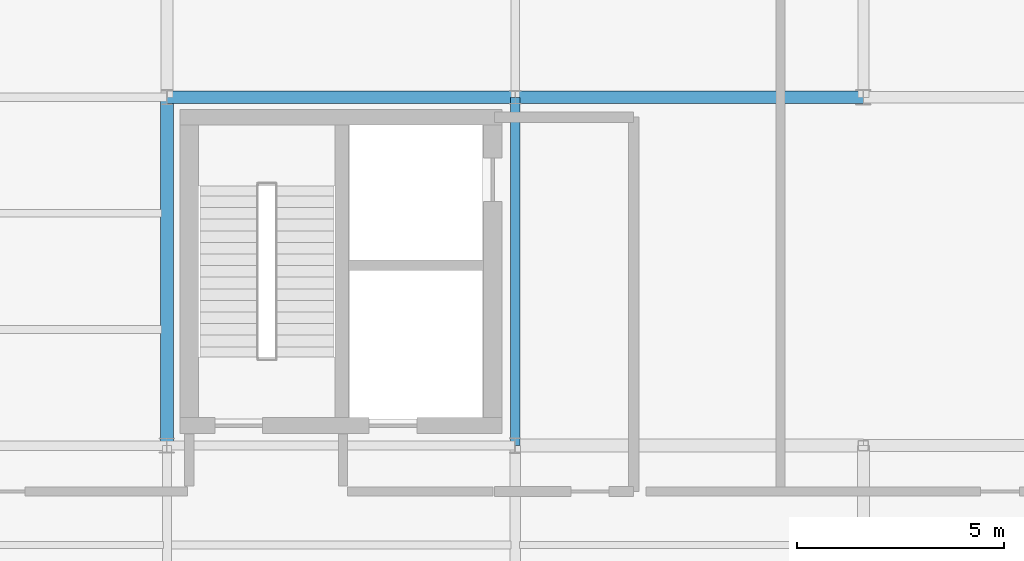
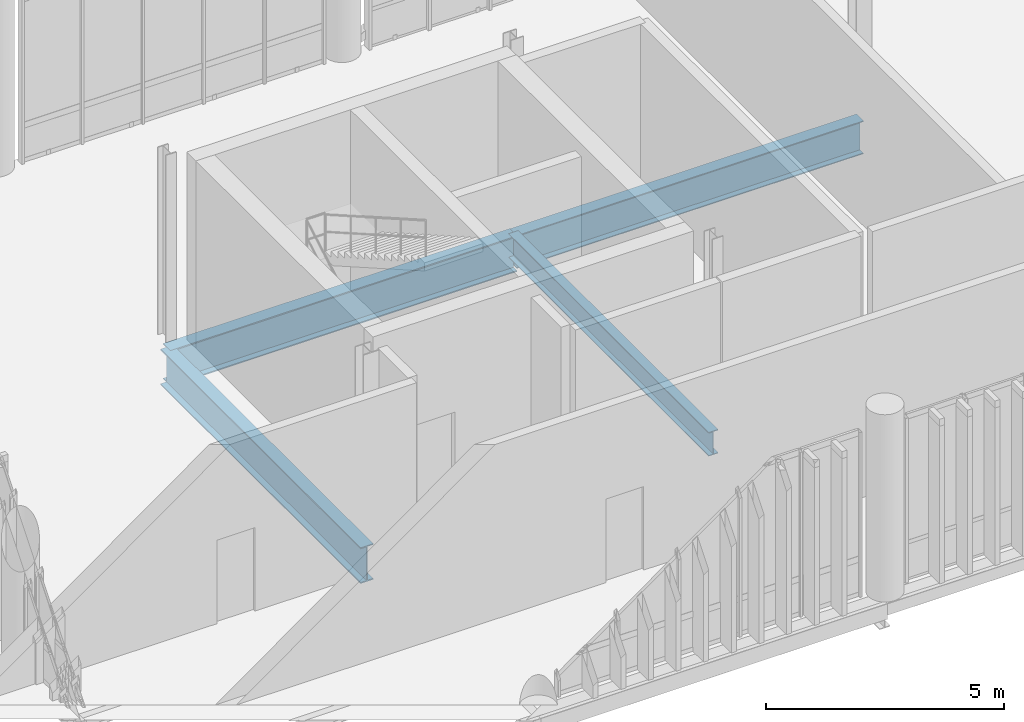
# One storey, part 32 of 94: 4 beams.
"""IFC4 building model written with IfcOpenShell, lengths in metres."""

import ifcopenshell
import ifcopenshell.guid

model = None  # the IFC model being written
_history = None  # IfcOwnerHistory: only IFC2X3 demands one
_inside = {}  # id of a spatial element -> (the spatial element, [elements in it])
_under = {}  # id of a project, library or spatial element -> (it, [spatial elements below it])
_declared = {}  # id of a project -> (the project, [libraries it declares])
_typed = {}  # id of a type object -> (the type object, [elements of that type])
_made_of = {}  # id of a material, layer set ... -> (it, [elements and type objects made of it])


def new_model(schema):
    """Start an empty IFC model of exactly this schema.

    Asked for "IFC4X3", IfcOpenShell would pick the latest addendum, in which some entities
    have other attributes; the version numbers below select the first issue.
    IFC2X3 requires an IfcOwnerHistory on every rooted entity: one is made here for all.
    """
    global model, _history
    if schema == "IFC4X3":
        model = ifcopenshell.file(schema_version=(4, 3, 0, 0))
    else:
        model = ifcopenshell.file(schema=schema)
    _inside.clear()
    _under.clear()
    _declared.clear()
    _typed.clear()
    _made_of.clear()
    _history = None
    if model.schema == "IFC2X3":
        org = make("IfcOrganization", Name="unknown")
        user = make(
            "IfcPersonAndOrganization",
            ThePerson=make("IfcPerson", FamilyName="unknown"),
            TheOrganization=org,
        )
        app = make(
            "IfcApplication",
            ApplicationDeveloper=org,
            Version="unknown",
            ApplicationFullName="unknown",
            ApplicationIdentifier="unknown",
        )
        _history = make(
            "IfcOwnerHistory",
            OwningUser=user,
            OwningApplication=app,
            ChangeAction="ADDED",
            CreationDate=0,
        )
    return model


def make(cls, **values):
    """One entity of the class cls with the attributes given. An attribute that is None is left unset."""
    return model.create_entity(
        cls, **{name: value for name, value in values.items() if value is not None}
    )


def rooted(cls, **values):
    """An entity with a GlobalId (a new one), such as an element, a storey or a relation."""
    return make(cls, GlobalId=ifcopenshell.guid.new(), OwnerHistory=_history, **values)


def si_unit(unit_type, name, prefix=None):
    """IfcSIUnit, for example si_unit("LENGTHUNIT", "METRE", prefix="MILLI")."""
    return make("IfcSIUnit", UnitType=unit_type, Prefix=prefix, Name=name)


def assignment(units):
    """IfcUnitAssignment: the units of a project."""
    return None if units is None else make("IfcUnitAssignment", Units=units)


def point(xyz):
    """IfcCartesianPoint."""
    return None if xyz is None else make("IfcCartesianPoint", Coordinates=xyz)


def direction(xyz):
    """IfcDirection."""
    return None if xyz is None else make("IfcDirection", DirectionRatios=xyz)


def frame(location, z_axis=None, x_axis=None):
    """IfcAxis2Placement3D, a coordinate frame: its origin and axes. An axis left out is left unset."""
    return make(
        "IfcAxis2Placement3D",
        Location=point(location),
        Axis=direction(z_axis),
        RefDirection=direction(x_axis),
    )


def frame_2d(location, x_axis=None):
    """IfcAxis2Placement2D, a coordinate frame in the plane: its origin and x axis."""
    return make(
        "IfcAxis2Placement2D", Location=point(location), RefDirection=direction(x_axis)
    )


def origin_with_axes():
    """The frame at (0, 0, 0) with the z axis (0, 0, 1) and the x axis (1, 0, 0) written out."""
    return frame((0.0, 0.0, 0.0), z_axis=(0.0, 0.0, 1.0), x_axis=(1.0, 0.0, 0.0))


def origin_2d_with_axis():
    """The frame at (0, 0) in the plane with the x axis (1, 0) written out."""
    return frame_2d((0.0, 0.0), x_axis=(1.0, 0.0))


def place(relative_to, where):
    """IfcLocalPlacement: puts the frame where relative to a parent placement (None: the world)."""
    return make(
        "IfcLocalPlacement", PlacementRelTo=relative_to, RelativePlacement=where
    )


def context(
    kind, dimensions, precision=None, world=None, true_north=None, identifier=None
):
    """IfcGeometricRepresentationContext, for example the 3D "Model" context."""
    return make(
        "IfcGeometricRepresentationContext",
        ContextIdentifier=identifier,
        ContextType=kind,
        CoordinateSpaceDimension=dimensions,
        Precision=precision,
        WorldCoordinateSystem=world,
        TrueNorth=true_north,
    )


def subcontext(parent, identifier, kind, view, scale=None):
    """IfcGeometricRepresentationSubContext, for example "Body" below "Model"."""
    return make(
        "IfcGeometricRepresentationSubContext",
        ContextIdentifier=identifier,
        ContextType=kind,
        ParentContext=parent,
        TargetScale=scale,
        TargetView=view,
    )


def project(units=None, contexts=None):
    """IfcProject with its units and contexts."""
    return rooted(
        "IfcProject",
        Name="project",
        RepresentationContexts=contexts,
        UnitsInContext=assignment(units),
    )


def spatial(cls, under=None, at=None, **own):
    """A site, building, storey or space (cls), placed at a placement, below another one or the project."""
    s = rooted(cls, ObjectPlacement=at, **own)
    if under is not None:
        _under.setdefault(under.id(), (under, []))[1].append(s)
    return s


def profile(cls, at=None, kind="AREA", **sizes):
    """A parametric profile (cls). Its sizes go by their IFC names, for example OverallWidth=200.0."""
    return make(cls, ProfileType=kind, Position=at, **sizes)


def i_section(**sizes):
    """IfcIShapeProfileDef."""
    return profile("IfcIShapeProfileDef", **sizes)


def extrude(swept, where, along, depth):
    """IfcExtrudedAreaSolid: the profile swept, set in the frame where, extruded along a direction by depth."""
    return make(
        "IfcExtrudedAreaSolid",
        SweptArea=swept,
        Position=where,
        ExtrudedDirection=direction(along),
        Depth=depth,
    )


def shape(context_of_items, identifier, shape_type, items):
    """IfcShapeRepresentation: the items that make up one representation, for example the "Body"."""
    return make(
        "IfcShapeRepresentation",
        ContextOfItems=context_of_items,
        RepresentationIdentifier=identifier,
        RepresentationType=shape_type,
        Items=items,
    )


def material(Name=None, Category=None):
    """IfcMaterial."""
    return make("IfcMaterial", Name=Name, Category=Category)


def material_profile(
    of_material, cross_section, Name=None, Category=None, Priority=None
):
    """IfcMaterialProfile: a cross section and its material."""
    return make(
        "IfcMaterialProfile",
        Name=Name,
        Material=of_material,
        Profile=cross_section,
        Priority=Priority,
        Category=Category,
    )


def profile_set(profiles, Name=None, composite=None):
    """IfcMaterialProfileSet."""
    return make(
        "IfcMaterialProfileSet",
        Name=Name,
        MaterialProfiles=profiles,
        CompositeProfile=composite,
    )


def made_of(thing, what):
    """Note that an element or type object is made of a material, layer set ...; save() writes the relation."""
    if what is not None:
        _made_of.setdefault(what.id(), (what, []))[1].append(thing)
    return thing


def type_object(cls, material=None, **own):
    """A type object (cls), such as IfcWallType, which elements share."""
    return made_of(rooted(cls, **own), material)


def element(
    cls,
    number,
    at=None,
    inside=None,
    cuts=None,
    type_object=None,
    material=None,
    context=None,
    identifier="Body",
    shape_type=None,
    held_by="IfcProductDefinitionShape",
    body=None,
    shapes=None,
    **own,
):
    """One element of the class cls, such as IfcWall. Its Tag is "e" and its number.

    at: its placement. inside: the storey or other place that contains it. cuts: it is an
    opening in that element (IfcRelVoidsElement). A single representation is given by context,
    identifier, shape_type and body (its items); several are given by shapes. held_by: the class
    of the entity that holds the representations. save() writes the other relations.
    """
    e = rooted(cls, Tag="e%d" % number, ObjectPlacement=at, **own)
    if body is not None:
        shapes = [shape(context, identifier, shape_type, body)]
    if shapes is not None:
        e.Representation = make(held_by, Representations=shapes)
    if inside is not None:
        _inside.setdefault(inside.id(), (inside, []))[1].append(e)
    if cuts is not None:
        rooted(
            "IfcRelVoidsElement", RelatingBuildingElement=cuts, RelatedOpeningElement=e
        )
    if type_object is not None:
        _typed.setdefault(type_object.id(), (type_object, []))[1].append(e)
    return made_of(e, material)


def aggregate(whole, parts):
    """IfcRelAggregates: a whole, such as a stair, and the parts it consists of."""
    return rooted("IfcRelAggregates", RelatingObject=whole, RelatedObjects=parts)


def save(model, path):
    """Write the relations noted so far, then the file.

    IfcRelAggregates (storeys below a building ...), IfcRelContainedInSpatialStructure (elements
    in a storey), IfcRelDefinesByType, IfcRelAssociatesMaterial and IfcRelDeclares: one each for
    every whole, place, type object, material and project.
    """
    for whole, parts in _under.values():
        aggregate(whole, parts)
    for where, things in _inside.values():
        rooted(
            "IfcRelContainedInSpatialStructure",
            RelatedElements=things,
            RelatingStructure=where,
        )
    for kind, things in _typed.values():
        rooted("IfcRelDefinesByType", RelatedObjects=things, RelatingType=kind)
    for what, things in _made_of.values():
        rooted("IfcRelAssociatesMaterial", RelatedObjects=things, RelatingMaterial=what)
    for by, libraries in _declared.values():
        rooted("IfcRelDeclares", RelatingContext=by, RelatedDefinitions=libraries)
    model.write(path)


model = new_model("IFC4")

# Units and contexts
model_context = context("Model", 3, precision=1e-05, world=origin_with_axes(), true_north=direction((0.0, 1.0)))
body_context = subcontext(model_context, "Body", "Model", "MODEL_VIEW")
ifc_project = project(units=[si_unit("LENGTHUNIT", "METRE"), si_unit("AREAUNIT", "SQUARE_METRE"), si_unit("VOLUMEUNIT", "CUBIC_METRE"), si_unit("PLANEANGLEUNIT", "RADIAN"), si_unit("MASSUNIT", "GRAM", prefix="KILO"), si_unit("THERMODYNAMICTEMPERATUREUNIT", "KELVIN")], contexts=[model_context])

# Site, building, storey
site_placement = place(None, origin_with_axes())
site = spatial("IfcSite", under=ifc_project, at=site_placement, CompositionType="ELEMENT")
building_placement = place(site_placement, origin_with_axes())
building = spatial("IfcBuilding", under=site, at=building_placement, Name="Montbau Bow Law Courts", CompositionType="ELEMENT")
storey_placement = place(building_placement, frame((0.0, 0.0, 15.6), z_axis=(0.0, 0.0, 1.0), x_axis=(1.0, 0.0, 0.0)))
storey = spatial("IfcBuildingStorey", under=building, at=storey_placement, Name="L03", CompositionType="ELEMENT", Elevation=15.6)

# Beams
ifc_material = material(Name="Steel CSA G40.21 Grade 350W (350 MPa)", Category="steel")
ifc_material_profile_1 = material_profile(ifc_material, i_section(OverallWidth=0.306, OverallDepth=0.919, WebThickness=0.0173, FlangeThickness=0.0279, at=origin_2d_with_axis()), Name="W920X253", Category="Main", Priority=0)
ifc_profile_set_1 = profile_set([ifc_material_profile_1], Name="Steel CSA G40.21 Grade 350W (350 MPa)")
beam_type_1 = type_object("IfcBeamType", Name="B-FLR-01", PredefinedType="BEAM", material=ifc_profile_set_1)
for number, where, z_axis, x_axis, name in (
    (1, (55.2, 54.6, 14.88), (1.0, 0.0, 0.0), (0.0, 1.0, 0.0), "BM-L03-S0887:bm2_0890"),
    (2, (55.2, 46.2, 14.88), (0.0, 1.0, 0.0), (-1.0, 0.0, 0.0), "BM-L03-S0900:bm2_0903"),
):
    element("IfcBeam", number, at=place(None, frame(where, z_axis=z_axis, x_axis=x_axis)), inside=storey, type_object=beam_type_1, Name=name, PredefinedType="BEAM", context=body_context, shape_type="SweptSolid", body=[
        extrude(i_section(OverallWidth=0.306, OverallDepth=0.919, WebThickness=0.0173, FlangeThickness=0.0279, at=origin_2d_with_axis()), origin_with_axes(), (0.0, 0.0, 1.0), 8.4),
    ])
ifc_material_profile_2 = material_profile(ifc_material, i_section(OverallWidth=0.293, OverallDepth=0.846, WebThickness=0.0154, FlangeThickness=0.0244, at=origin_2d_with_axis()), Name="W840X210", Category="Main", Priority=0)
ifc_profile_set_2 = profile_set([ifc_material_profile_2], Name="Steel CSA G40.21 Grade 350W (350 MPa)")
beam_type_2 = type_object("IfcBeamType", Name="B-FLR-02", PredefinedType="BEAM", material=ifc_profile_set_2)
beam_1_placement = place(None, frame((63.6, 54.6, 14.917), z_axis=(1.0, 0.0, 0.0), x_axis=(0.0, 1.0, 0.0)))
element("IfcBeam", 3, at=beam_1_placement, inside=storey, type_object=beam_type_2, Name="BM-L03-S0888:bm2_0891", PredefinedType="BEAM", context=body_context, shape_type="SweptSolid", body=[
    extrude(i_section(OverallWidth=0.293, OverallDepth=0.846, WebThickness=0.0154, FlangeThickness=0.0244, at=origin_2d_with_axis()), origin_with_axes(), (0.0, 0.0, 1.0), 8.4),
])
ifc_material_profile_3 = material_profile(ifc_material, i_section(OverallWidth=0.229, OverallDepth=0.612, WebThickness=0.0119, FlangeThickness=0.0196, at=origin_2d_with_axis()), Name="W610X125", Category="Main", Priority=0)
ifc_profile_set_3 = profile_set([ifc_material_profile_3], Name="Steel CSA G40.21 Grade 350W (350 MPa)")
beam_type_3 = type_object("IfcBeamType", Name="B-FLR-05", PredefinedType="BEAM", material=ifc_profile_set_3)
beam_2_placement = place(None, frame((63.6, 46.2, 15.034), z_axis=(0.0, 1.0, 0.0), x_axis=(-1.0, 0.0, 0.0)))
element("IfcBeam", 4, at=beam_2_placement, inside=storey, type_object=beam_type_3, Name="BM-L03-S0903:bm2_0906", PredefinedType="BEAM", context=body_context, shape_type="SweptSolid", body=[
    extrude(i_section(OverallWidth=0.229, OverallDepth=0.612, WebThickness=0.0119, FlangeThickness=0.0196, at=origin_2d_with_axis()), origin_with_axes(), (0.0, 0.0, 1.0), 8.4),
])

save(model, "model.ifc")
